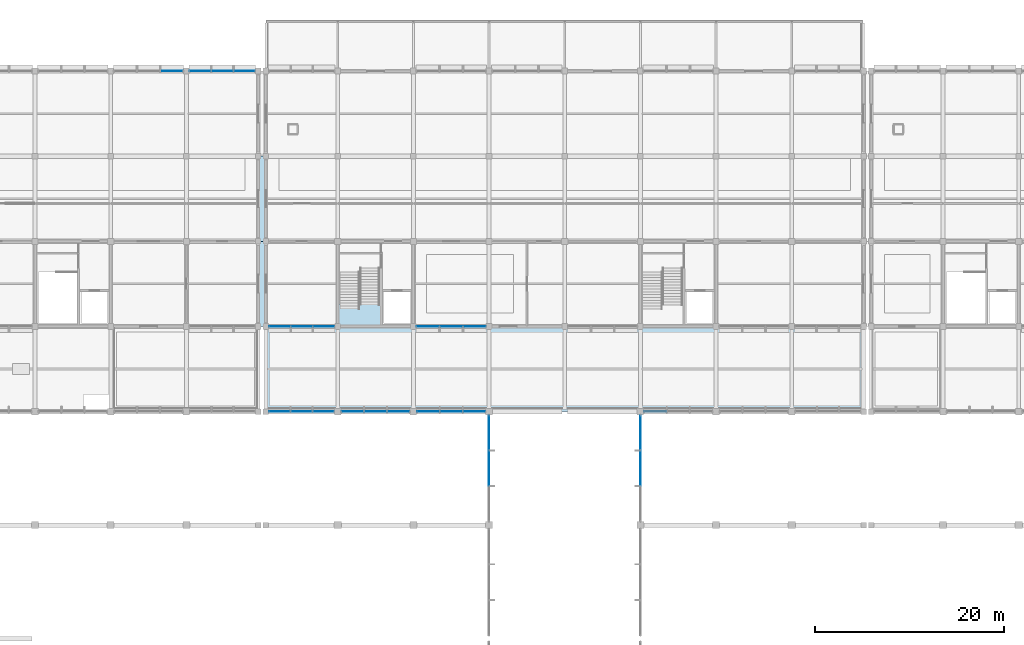
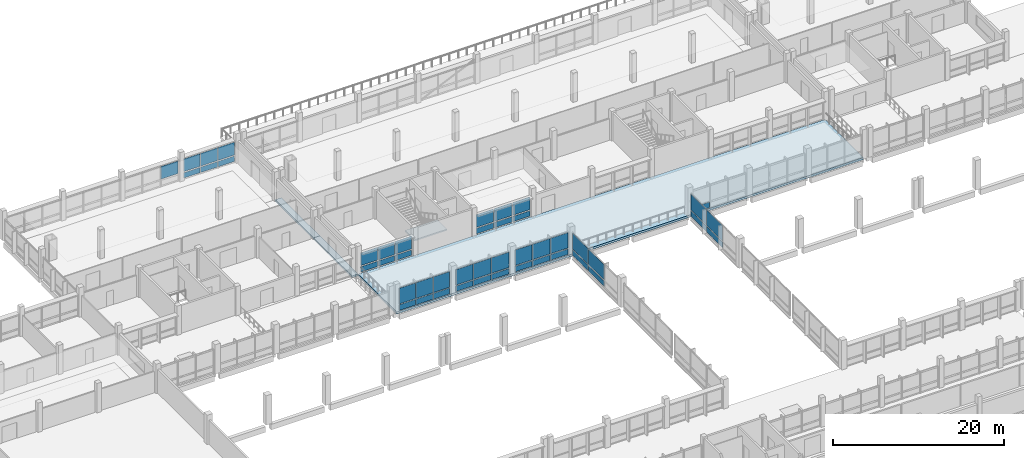
# One storey, part 49 of 70: 46 plates, 4 slabs, 11 elements without a shape of their own.
"""IFC4 building model written with IfcOpenShell, lengths in metres."""

from ifc_helpers import new_model, si_unit, direction, frame, origin, origin_2d, place, context, subcontext, project, spatial, polyline, rectangle, outline, extrude, material, layer, layer_set, type_object, element, aggregate, save


model = new_model("IFC4")

# Units and contexts
model_context = context("Model", 3, precision=1e-05, world=origin(), true_north=direction((0.0, 1.0)))
body_context = subcontext(model_context, "Body", "Model", "MODEL_VIEW")
ifc_project = project(units=[si_unit("LENGTHUNIT", "METRE"), si_unit("AREAUNIT", "SQUARE_METRE"), si_unit("VOLUMEUNIT", "CUBIC_METRE"), si_unit("PLANEANGLEUNIT", "RADIAN"), si_unit("MASSUNIT", "GRAM", prefix="KILO"), si_unit("THERMODYNAMICTEMPERATUREUNIT", "KELVIN"), si_unit("POWERUNIT", "WATT")], contexts=[model_context])

# Site, building, storey
site_placement = place(None, origin())
site = spatial("IfcSite", under=ifc_project, at=site_placement, CompositionType="ELEMENT")
building_placement = place(site_placement, origin())
building = spatial("IfcBuilding", under=site, at=building_placement, Name="Kronsvod Quay Wholesale Market", CompositionType="ELEMENT")
storey_placement = place(building_placement, frame((0.0, 0.0, 9.0)))
storey = spatial("IfcBuildingStorey", under=building, at=storey_placement, Name="L02", CompositionType="ELEMENT", Elevation=9.0)

# Curtain wall, plates
ifc_material_1 = material(Name="Thermally broken aluminium and triple low-E glazing", Category="aluminium")
curtain_wall_type_1 = type_object("IfcCurtainWallType", Name="CW_Clerestory80x32", PredefinedType="NOTDEFINED", material=ifc_material_1)
curtain_wall_1_placement = place(storey_placement, origin())
curtain_wall_1 = element("IfcCurtainWall", 1, at=curtain_wall_1_placement, inside=storey, type_object=curtain_wall_type_1, Name="CWGX-L02-644-900", PredefinedType="NOTDEFINED")
ifc_material_2 = material(Name="Insulated aluminium spandrel panel", Category="aluminium")
ifc_layer_1 = layer(ifc_material_2, 0.048095703125)
ifc_layer_set_1 = layer_set([ifc_layer_1], Name="Insulated aluminium spandrel panel")
plate_type_1 = type_object("IfcPlateType", Name="CWPanel_SP2223x820", PredefinedType="CURTAIN_PANEL", material=ifc_layer_set_1)
plate_1_placement = place(storey_placement, frame((70.478759765625, 90.0, 0.1201171875), z_axis=(0.0, 0.0, 1.0), x_axis=(-1.0, 0.0, 0.0)))
plate_1 = element("IfcPlate", 2, at=plate_1_placement, type_object=plate_type_1, Name="CWGX-L02-644-900-PS1", PredefinedType="CURTAIN_PANEL", context=body_context, shape_type="SweptSolid", body=[
    extrude(rectangle(XDim=2.222900390625, YDim=0.048095703125, at=origin_2d()), origin(), (0.0, 0.0, 1.0), 0.820068359375),
])
plate_2_placement = place(storey_placement, frame((65.871337890625, 90.0, 0.1201171875), z_axis=(0.0, 0.0, 1.0), x_axis=(-1.0, 0.0, 0.0)))
plate_2 = element("IfcPlate", 3, at=plate_2_placement, type_object=plate_type_1, Name="CWGX-L02-644-900-PS3", PredefinedType="CURTAIN_PANEL", context=body_context, shape_type="SweptSolid", body=[
    extrude(rectangle(XDim=2.222900390625, YDim=0.048095703125, at=origin_2d()), origin(), (0.0, 0.0, 1.0), 0.820068359375),
])

ifc_material_3 = material(Name="Thermally broken aluminium and triple low-E glazing", Category="aluminium")
curtain_wall_type_2 = type_object("IfcCurtainWallType", Name="CW_Harbour76x33", PredefinedType="NOTDEFINED", material=ifc_material_3)
curtain_wall_2_placement = place(storey_placement, origin())
curtain_wall_2 = element("IfcCurtainWall", 4, at=curtain_wall_2_placement, inside=storey, type_object=curtain_wall_type_2, Name="CWGX-L02-560-1260", PredefinedType="NOTDEFINED")
ifc_material_4 = material(Name="Insulated aluminium spandrel panel", Category="aluminium")
ifc_layer_2 = layer(ifc_material_4, 0.048095703125)
ifc_layer_set_2 = layer_set([ifc_layer_2], Name="Insulated aluminium spandrel panel")
plate_type_2 = type_object("IfcPlateType", Name="CWPanel_SP2224x775", PredefinedType="CURTAIN_PANEL", material=ifc_layer_set_2)
plate_3_placement = place(storey_placement, frame((62.117919921875, 126.0, 0.150146484375), z_axis=(0.0, 0.0, 1.0), x_axis=(-1.0, 0.0, 0.0)))
plate_3 = element("IfcPlate", 5, at=plate_3_placement, type_object=plate_type_2, Name="CWGX-L02-560-1260-PS1", PredefinedType="CURTAIN_PANEL", context=body_context, shape_type="SweptSolid", body=[
    extrude(rectangle(XDim=2.22412109375, YDim=0.048095703125, at=origin_2d()), origin(), (0.0, 0.0, 1.0), 0.77490234375),
])
plate_4_placement = place(storey_placement, frame((57.482177734375, 126.0, 0.150146484375), z_axis=(0.0, 0.0, 1.0), x_axis=(-1.0, 0.0, 0.0)))
plate_4 = element("IfcPlate", 6, at=plate_4_placement, type_object=plate_type_2, Name="CWGX-L02-560-1260-PS3", PredefinedType="CURTAIN_PANEL", context=body_context, shape_type="SweptSolid", body=[
    extrude(rectangle(XDim=2.22412109375, YDim=0.048095703125, at=origin_2d()), origin(), (0.0, 0.0, 1.0), 0.77490234375),
])

ifc_material_5 = material(Name="Thermally broken aluminium and triple low-E glazing", Category="aluminium")
curtain_wall_type_3 = type_object("IfcCurtainWallType", Name="CW_Harbour80x33", PredefinedType="NOTDEFINED", material=ifc_material_5)
curtain_wall_3_placement = place(storey_placement, origin())
curtain_wall_3 = element("IfcCurtainWall", 7, at=curtain_wall_3_placement, inside=storey, type_object=curtain_wall_type_3, Name="CWGX-L02-644-990", PredefinedType="NOTDEFINED")
plate_5_placement = place(storey_placement, frame((65.882080078125, 99.0, 0.150146484375), z_axis=(0.0, 0.0, 1.0), x_axis=(1.0, 0.0, 0.0)))
plate_5 = element("IfcPlate", 8, at=plate_5_placement, type_object=plate_type_2, Name="CWGX-L02-644-990-PS1", PredefinedType="CURTAIN_PANEL", context=body_context, shape_type="SweptSolid", body=[
    extrude(rectangle(XDim=2.22412109375, YDim=0.048095703125, at=origin_2d()), origin(), (0.0, 0.0, 1.0), 0.77490234375),
])
plate_6_placement = place(storey_placement, frame((70.517822265625, 99.0, 0.150146484375), z_axis=(0.0, 0.0, 1.0), x_axis=(1.0, 0.0, 0.0)))
plate_6 = element("IfcPlate", 9, at=plate_6_placement, type_object=plate_type_2, Name="CWGX-L02-644-990-PS3", PredefinedType="CURTAIN_PANEL", context=body_context, shape_type="SweptSolid", body=[
    extrude(rectangle(XDim=2.22412109375, YDim=0.048095703125, at=origin_2d()), origin(), (0.0, 0.0, 1.0), 0.77490234375),
])

# Plate
ifc_material_6 = material(Name="Insulated aluminium spandrel panel", Category="aluminium")
ifc_layer_3 = layer(ifc_material_6, 0.048095703125)
ifc_layer_set_3 = layer_set([ifc_layer_3], Name="Insulated aluminium spandrel panel")
plate_type_3 = type_object("IfcPlateType", Name="CWPanel_SP2255x820", PredefinedType="CURTAIN_PANEL", material=ifc_layer_set_3)
plate_7_placement = place(storey_placement, frame((68.175048828125, 90.0, 0.1201171875), z_axis=(0.0, 0.0, 1.0), x_axis=(-1.0, 0.0, 0.0)))
plate_7 = element("IfcPlate", 10, at=plate_7_placement, type_object=plate_type_3, Name="CWGX-L02-644-900-PS2", PredefinedType="CURTAIN_PANEL", context=body_context, shape_type="SweptSolid", body=[
    extrude(rectangle(XDim=2.2548828125, YDim=0.048095703125, at=origin_2d()), origin(), (0.0, 0.0, 1.0), 0.820068359375),
])

ifc_material_7 = material(Name="Insulated aluminium spandrel panel", Category="aluminium")
ifc_layer_4 = layer(ifc_material_7, 0.048095703125)
ifc_layer_set_4 = layer_set([ifc_layer_4], Name="Insulated aluminium spandrel panel")
plate_type_4 = type_object("IfcPlateType", Name="CWPanel_SP2262x775", PredefinedType="CURTAIN_PANEL", material=ifc_layer_set_4)
plate_8_placement = place(storey_placement, frame((59.800048828125, 126.0, 0.150146484375), z_axis=(0.0, 0.0, 1.0), x_axis=(-1.0, 0.0, 0.0)))
plate_8 = element("IfcPlate", 11, at=plate_8_placement, type_object=plate_type_4, Name="CWGX-L02-560-1260-PS2", PredefinedType="CURTAIN_PANEL", context=body_context, shape_type="SweptSolid", body=[
    extrude(rectangle(XDim=2.261962890625, YDim=0.048095703125, at=origin_2d()), origin(), (0.0, 0.0, 1.0), 0.77490234375),
])

plate_9_placement = place(storey_placement, frame((68.199951171875, 99.0, 0.150146484375), z_axis=(0.0, 0.0, 1.0), x_axis=(1.0, 0.0, 0.0)))
plate_9 = element("IfcPlate", 12, at=plate_9_placement, type_object=plate_type_4, Name="CWGX-L02-644-990-PS2", PredefinedType="CURTAIN_PANEL", context=body_context, shape_type="SweptSolid", body=[
    extrude(rectangle(XDim=2.261962890625, YDim=0.048095703125, at=origin_2d()), origin(), (0.0, 0.0, 1.0), 0.77490234375),
])

# Curtain wall, plates
curtain_wall_4_placement = place(storey_placement, origin())
curtain_wall_4 = element("IfcCurtainWall", 13, at=curtain_wall_4_placement, inside=storey, type_object=curtain_wall_type_1, Name="CWGX-L02-720-900", PredefinedType="NOTDEFINED")
ifc_material_8 = material(Name="Insulated aluminium spandrel panel", Category="aluminium")
ifc_layer_5 = layer(ifc_material_8, 0.048095703125)
ifc_layer_set_5 = layer_set([ifc_layer_5], Name="Insulated aluminium spandrel panel")
plate_type_5 = type_object("IfcPlateType", Name="CWPanel_SP2324x775", PredefinedType="CURTAIN_PANEL", material=ifc_layer_set_5)
plate_10_placement = place(storey_placement, frame((78.41796875, 90.0, 0.150146484375), z_axis=(0.0, 0.0, 1.0), x_axis=(-1.0, 0.0, 0.0)))
plate_10 = element("IfcPlate", 14, at=plate_10_placement, type_object=plate_type_5, Name="CWGX-L02-720-900-PS1", PredefinedType="CURTAIN_PANEL", context=body_context, shape_type="SweptSolid", body=[
    extrude(rectangle(XDim=2.323974609375, YDim=0.048095703125, at=origin_2d()), origin(), (0.0, 0.0, 1.0), 0.77490234375),
])
plate_11_placement = place(storey_placement, frame((73.58203125, 90.0, 0.150146484375), z_axis=(0.0, 0.0, 1.0), x_axis=(-1.0, 0.0, 0.0)))
plate_11 = element("IfcPlate", 15, at=plate_11_placement, type_object=plate_type_5, Name="CWGX-L02-720-900-PS3", PredefinedType="CURTAIN_PANEL", context=body_context, shape_type="SweptSolid", body=[
    extrude(rectangle(XDim=2.323974609375, YDim=0.048095703125, at=origin_2d()), origin(), (0.0, 0.0, 1.0), 0.77490234375),
])

curtain_wall_5_placement = place(storey_placement, origin())
curtain_wall_5 = element("IfcCurtainWall", 16, at=curtain_wall_5_placement, inside=storey, type_object=curtain_wall_type_1, Name="CWGX-L02-800-900", PredefinedType="NOTDEFINED")
plate_12_placement = place(storey_placement, frame((86.41796875, 90.0, 0.150146484375), z_axis=(0.0, 0.0, 1.0), x_axis=(-1.0, 0.0, 0.0)))
plate_12 = element("IfcPlate", 17, at=plate_12_placement, type_object=plate_type_5, Name="CWGX-L02-800-900-PS1", PredefinedType="CURTAIN_PANEL", context=body_context, shape_type="SweptSolid", body=[
    extrude(rectangle(XDim=2.323974609375, YDim=0.048095703125, at=origin_2d()), origin(), (0.0, 0.0, 1.0), 0.77490234375),
])
plate_13_placement = place(storey_placement, frame((81.58203125, 90.0, 0.150146484375), z_axis=(0.0, 0.0, 1.0), x_axis=(-1.0, 0.0, 0.0)))
plate_13 = element("IfcPlate", 18, at=plate_13_placement, type_object=plate_type_5, Name="CWGX-L02-800-900-PS3", PredefinedType="CURTAIN_PANEL", context=body_context, shape_type="SweptSolid", body=[
    extrude(rectangle(XDim=2.323974609375, YDim=0.048095703125, at=origin_2d()), origin(), (0.0, 0.0, 1.0), 0.77490234375),
])

# Curtain wall, plate
curtain_wall_6_placement = place(storey_placement, origin())
curtain_wall_6 = element("IfcCurtainWall", 19, at=curtain_wall_6_placement, inside=storey, type_object=curtain_wall_type_1, Name="CWGX-L02-1040-900", PredefinedType="NOTDEFINED")
plate_14_placement = place(storey_placement, frame((105.58203125, 90.0, 0.150146484375), z_axis=(0.0, 0.0, 1.0), x_axis=(-1.0, 0.0, 0.0)))
plate_14 = element("IfcPlate", 20, at=plate_14_placement, type_object=plate_type_5, Name="CWGX-L02-1040-900-PS3", PredefinedType="CURTAIN_PANEL", context=body_context, shape_type="SweptSolid", body=[
    extrude(rectangle(XDim=2.323974609375, YDim=0.048095703125, at=origin_2d()), origin(), (0.0, 0.0, 1.0), 0.77490234375),
])
aggregate(curtain_wall_6, [plate_14])

# Curtain wall, plates
curtain_wall_7_placement = place(storey_placement, origin())
curtain_wall_7 = element("IfcCurtainWall", 21, at=curtain_wall_7_placement, inside=storey, type_object=curtain_wall_type_3, Name="CWGX-L02-800-990", PredefinedType="NOTDEFINED")
ifc_material_9 = material(Name="Insulated aluminium spandrel panel", Category="aluminium")
ifc_layer_6 = layer(ifc_material_9, 0.048095703125)
ifc_layer_set_6 = layer_set([ifc_layer_6], Name="Insulated aluminium spandrel panel")
plate_type_6 = type_object("IfcPlateType", Name="CWPanel_SP2357x775", PredefinedType="CURTAIN_PANEL", material=ifc_layer_set_6)
plate_15_placement = place(storey_placement, frame((81.548828125, 99.0, 0.150146484375), z_axis=(0.0, 0.0, 1.0), x_axis=(1.0, 0.0, 0.0)))
plate_15 = element("IfcPlate", 22, at=plate_15_placement, type_object=plate_type_6, Name="CWGX-L02-800-990-PS1", PredefinedType="CURTAIN_PANEL", context=body_context, shape_type="SweptSolid", body=[
    extrude(rectangle(XDim=2.35693359375, YDim=0.048095703125, at=origin_2d()), origin(), (0.0, 0.0, 1.0), 0.77490234375),
])
ifc_material_10 = material(Name="Insulated aluminium spandrel panel", Category="aluminium")
ifc_layer_7 = layer(ifc_material_10, 0.048095703125)
ifc_layer_set_7 = layer_set([ifc_layer_7], Name="Insulated aluminium spandrel panel")
plate_type_7 = type_object("IfcPlateType", Name="CWPanel_SP2358x775", PredefinedType="CURTAIN_PANEL", material=ifc_layer_set_7)
plate_16_placement = place(storey_placement, frame((86.451171875, 99.0, 0.150146484375), z_axis=(0.0, 0.0, 1.0), x_axis=(1.0, 0.0, 0.0)))
plate_16 = element("IfcPlate", 23, at=plate_16_placement, type_object=plate_type_7, Name="CWGX-L02-800-990-PS3", PredefinedType="CURTAIN_PANEL", context=body_context, shape_type="SweptSolid", body=[
    extrude(rectangle(XDim=2.35791015625, YDim=0.048095703125, at=origin_2d()), origin(), (0.0, 0.0, 1.0), 0.77490234375),
])

# Plate
ifc_material_11 = material(Name="Insulated aluminium spandrel panel", Category="aluminium")
ifc_layer_8 = layer(ifc_material_11, 0.048095703125)
ifc_layer_set_8 = layer_set([ifc_layer_8], Name="Insulated aluminium spandrel panel")
plate_type_8 = type_object("IfcPlateType", Name="CWPanel_SP2362x775", PredefinedType="CURTAIN_PANEL", material=ifc_layer_set_8)
plate_17_placement = place(storey_placement, frame((76.0, 90.0, 0.150146484375), z_axis=(0.0, 0.0, 1.0), x_axis=(-1.0, 0.0, 0.0)))
plate_17 = element("IfcPlate", 24, at=plate_17_placement, type_object=plate_type_8, Name="CWGX-L02-720-900-PS2", PredefinedType="CURTAIN_PANEL", context=body_context, shape_type="SweptSolid", body=[
    extrude(rectangle(XDim=2.362060546875, YDim=0.048095703125, at=origin_2d()), origin(), (0.0, 0.0, 1.0), 0.77490234375),
])

plate_18_placement = place(storey_placement, frame((84.0, 90.0, 0.150146484375), z_axis=(0.0, 0.0, 1.0), x_axis=(-1.0, 0.0, 0.0)))
plate_18 = element("IfcPlate", 25, at=plate_18_placement, type_object=plate_type_8, Name="CWGX-L02-800-900-PS2", PredefinedType="CURTAIN_PANEL", context=body_context, shape_type="SweptSolid", body=[
    extrude(rectangle(XDim=2.362060546875, YDim=0.048095703125, at=origin_2d()), origin(), (0.0, 0.0, 1.0), 0.77490234375),
])

ifc_material_12 = material(Name="Insulated aluminium spandrel panel", Category="aluminium")
ifc_layer_9 = layer(ifc_material_12, 0.048095703125)
ifc_layer_set_9 = layer_set([ifc_layer_9], Name="Insulated aluminium spandrel panel")
plate_type_9 = type_object("IfcPlateType", Name="CWPanel_SP2395x775", PredefinedType="CURTAIN_PANEL", material=ifc_layer_set_9)
plate_19_placement = place(storey_placement, frame((84.0, 99.0, 0.150146484375), z_axis=(0.0, 0.0, 1.0), x_axis=(1.0, 0.0, 0.0)))
plate_19 = element("IfcPlate", 26, at=plate_19_placement, type_object=plate_type_9, Name="CWGX-L02-800-990-PS2", PredefinedType="CURTAIN_PANEL", context=body_context, shape_type="SweptSolid", body=[
    extrude(rectangle(XDim=2.39501953125, YDim=0.048095703125, at=origin_2d()), origin(), (0.0, 0.0, 1.0), 0.77490234375),
])

# Curtain wall, plate
ifc_material_13 = material(Name="Thermally broken aluminium and triple low-E glazing", Category="aluminium")
curtain_wall_type_4 = type_object("IfcCurtainWallType", Name="CW_Court120x35", PredefinedType="NOTDEFINED", material=ifc_material_13)
curtain_wall_8_placement = place(storey_placement, origin())
curtain_wall_8 = element("IfcCurtainWall", 27, at=curtain_wall_8_placement, inside=storey, type_object=curtain_wall_type_4, Name="CWGY-L02-880-780", PredefinedType="NOTDEFINED")
ifc_material_14 = material(Name="Insulated aluminium spandrel panel", Category="aluminium")
ifc_layer_10 = layer(ifc_material_14, 0.048095703125)
ifc_layer_set_10 = layer_set([ifc_layer_10], Name="Insulated aluminium spandrel panel")
plate_type_10 = type_object("IfcPlateType", Name="CWPanel_SP3649x775", PredefinedType="CURTAIN_PANEL", material=ifc_layer_set_10)
plate_20_placement = place(storey_placement, frame((88.0, 87.75537109375, 0.150146484375), z_axis=(0.0, 0.0, 1.0), x_axis=(0.0, 1.0, 0.0)))
plate_20 = element("IfcPlate", 28, at=plate_20_placement, type_object=plate_type_10, Name="CWGY-L02-880-780-PS3", PredefinedType="CURTAIN_PANEL", context=body_context, shape_type="SweptSolid", body=[
    extrude(rectangle(XDim=3.64892578125, YDim=0.048095703125, at=origin_2d()), origin(), (0.0, 0.0, 1.0), 0.77490234375),
])

curtain_wall_9_placement = place(storey_placement, origin())
curtain_wall_9 = element("IfcCurtainWall", 29, at=curtain_wall_9_placement, inside=storey, type_object=curtain_wall_type_4, Name="CWGY-L02-1040-780", PredefinedType="NOTDEFINED")
plate_21_placement = place(storey_placement, frame((104.0, 87.75537109375, 0.150146484375), z_axis=(0.0, 0.0, 1.0), x_axis=(0.0, -1.0, 0.0)))
plate_21 = element("IfcPlate", 30, at=plate_21_placement, type_object=plate_type_10, Name="CWGY-L02-1040-780-PS1", PredefinedType="CURTAIN_PANEL", context=body_context, shape_type="SweptSolid", body=[
    extrude(rectangle(XDim=3.64892578125, YDim=0.048095703125, at=origin_2d()), origin(), (0.0, 0.0, 1.0), 0.77490234375),
])

# Plate
ifc_material_15 = material(Name="Insulated aluminium spandrel panel", Category="aluminium")
ifc_layer_11 = layer(ifc_material_15, 0.048095703125)
ifc_layer_set_11 = layer_set([ifc_layer_11], Name="Insulated aluminium spandrel panel")
plate_type_11 = type_object("IfcPlateType", Name="CWPanel_SP3687x775", PredefinedType="CURTAIN_PANEL", material=ifc_layer_set_11)
plate_22_placement = place(storey_placement, frame((88.0, 84.012451171875, 0.150146484375), z_axis=(0.0, 0.0, 1.0), x_axis=(0.0, 1.0, 0.0)))
plate_22 = element("IfcPlate", 31, at=plate_22_placement, type_object=plate_type_11, Name="CWGY-L02-880-780-PS2", PredefinedType="CURTAIN_PANEL", context=body_context, shape_type="SweptSolid", body=[
    extrude(rectangle(XDim=3.68701171875, YDim=0.048095703125, at=origin_2d()), origin(), (0.0, 0.0, 1.0), 0.77490234375),
])

plate_23_placement = place(storey_placement, frame((104.0, 84.012451171875, 0.150146484375), z_axis=(0.0, 0.0, 1.0), x_axis=(0.0, -1.0, 0.0)))
plate_23 = element("IfcPlate", 32, at=plate_23_placement, type_object=plate_type_11, Name="CWGY-L02-1040-780-PS2", PredefinedType="CURTAIN_PANEL", context=body_context, shape_type="SweptSolid", body=[
    extrude(rectangle(XDim=3.68701171875, YDim=0.048095703125, at=origin_2d()), origin(), (0.0, 0.0, 1.0), 0.77490234375),
])

ifc_material_16 = material(Name="Triple low-E insulated glazing", Category="glass")
ifc_layer_12 = layer(ifc_material_16, 0.0439453125)
ifc_layer_set_12 = layer_set([ifc_layer_12], Name="Triple low-E insulated glazing")
plate_type_12 = type_object("IfcPlateType", Name="CWPanel_VS2223x2240", PredefinedType="CURTAIN_PANEL", material=ifc_layer_set_12)
plate_24_placement = place(storey_placement, frame((70.478759765625, 90.0, 1.06005859375), z_axis=(0.0, 0.0, 1.0), x_axis=(-1.0, 0.0, 0.0)))
plate_24 = element("IfcPlate", 33, at=plate_24_placement, type_object=plate_type_12, Name="CWGX-L02-644-900-PV1", PredefinedType="CURTAIN_PANEL", context=body_context, shape_type="SweptSolid", body=[
    extrude(rectangle(XDim=2.222900390625, YDim=0.0439453125, at=origin_2d()), origin(), (0.0, 0.0, 1.0), 2.239990234375),
])

plate_25_placement = place(storey_placement, frame((65.871337890625, 90.0, 1.06005859375), z_axis=(0.0, 0.0, 1.0), x_axis=(-1.0, 0.0, 0.0)))
plate_25 = element("IfcPlate", 34, at=plate_25_placement, type_object=plate_type_12, Name="CWGX-L02-644-900-PV3", PredefinedType="CURTAIN_PANEL", context=body_context, shape_type="SweptSolid", body=[
    extrude(rectangle(XDim=2.222900390625, YDim=0.0439453125, at=origin_2d()), origin(), (0.0, 0.0, 1.0), 2.239990234375),
])

ifc_material_17 = material(Name="Triple low-E insulated glazing", Category="glass")
ifc_layer_13 = layer(ifc_material_17, 0.0439453125)
ifc_layer_set_13 = layer_set([ifc_layer_13], Name="Triple low-E insulated glazing")
plate_type_13 = type_object("IfcPlateType", Name="CWPanel_VS2224x1825", PredefinedType="CURTAIN_PANEL", material=ifc_layer_set_13)
plate_26_placement = place(storey_placement, frame((62.117919921875, 126.0, 1.0751953125), z_axis=(0.0, 0.0, 1.0), x_axis=(-1.0, 0.0, 0.0)))
plate_26 = element("IfcPlate", 35, at=plate_26_placement, type_object=plate_type_13, Name="CWGX-L02-560-1260-PV1", PredefinedType="CURTAIN_PANEL", context=body_context, shape_type="SweptSolid", body=[
    extrude(rectangle(XDim=2.22412109375, YDim=0.0439453125, at=origin_2d()), origin(), (0.0, 0.0, 1.0), 1.824951171875),
])

plate_27_placement = place(storey_placement, frame((57.482177734375, 126.0, 1.0751953125), z_axis=(0.0, 0.0, 1.0), x_axis=(-1.0, 0.0, 0.0)))
plate_27 = element("IfcPlate", 36, at=plate_27_placement, type_object=plate_type_13, Name="CWGX-L02-560-1260-PV3", PredefinedType="CURTAIN_PANEL", context=body_context, shape_type="SweptSolid", body=[
    extrude(rectangle(XDim=2.22412109375, YDim=0.0439453125, at=origin_2d()), origin(), (0.0, 0.0, 1.0), 1.824951171875),
])

plate_28_placement = place(storey_placement, frame((65.882080078125, 99.0, 1.0751953125), z_axis=(0.0, 0.0, 1.0), x_axis=(1.0, 0.0, 0.0)))
plate_28 = element("IfcPlate", 37, at=plate_28_placement, type_object=plate_type_13, Name="CWGX-L02-644-990-PV1", PredefinedType="CURTAIN_PANEL", context=body_context, shape_type="SweptSolid", body=[
    extrude(rectangle(XDim=2.22412109375, YDim=0.0439453125, at=origin_2d()), origin(), (0.0, 0.0, 1.0), 1.824951171875),
])

plate_29_placement = place(storey_placement, frame((70.517822265625, 99.0, 1.0751953125), z_axis=(0.0, 0.0, 1.0), x_axis=(1.0, 0.0, 0.0)))
plate_29 = element("IfcPlate", 38, at=plate_29_placement, type_object=plate_type_13, Name="CWGX-L02-644-990-PV3", PredefinedType="CURTAIN_PANEL", context=body_context, shape_type="SweptSolid", body=[
    extrude(rectangle(XDim=2.22412109375, YDim=0.0439453125, at=origin_2d()), origin(), (0.0, 0.0, 1.0), 1.824951171875),
])

ifc_material_18 = material(Name="Triple low-E insulated glazing", Category="glass")
ifc_layer_14 = layer(ifc_material_18, 0.0439453125)
ifc_layer_set_14 = layer_set([ifc_layer_14], Name="Triple low-E insulated glazing")
plate_type_14 = type_object("IfcPlateType", Name="CWPanel_VS2255x2240", PredefinedType="CURTAIN_PANEL", material=ifc_layer_set_14)
plate_30_placement = place(storey_placement, frame((68.175048828125, 90.0, 1.06005859375), z_axis=(0.0, 0.0, 1.0), x_axis=(-1.0, 0.0, 0.0)))
plate_30 = element("IfcPlate", 39, at=plate_30_placement, type_object=plate_type_14, Name="CWGX-L02-644-900-PV2", PredefinedType="CURTAIN_PANEL", context=body_context, shape_type="SweptSolid", body=[
    extrude(rectangle(XDim=2.2548828125, YDim=0.0439453125, at=origin_2d()), origin(), (0.0, 0.0, 1.0), 2.239990234375),
])

aggregate(curtain_wall_1, [plate_1, plate_24, plate_7, plate_30, plate_2, plate_25])

ifc_material_19 = material(Name="Triple low-E insulated glazing", Category="glass")
ifc_layer_15 = layer(ifc_material_19, 0.0439453125)
ifc_layer_set_15 = layer_set([ifc_layer_15], Name="Triple low-E insulated glazing")
plate_type_15 = type_object("IfcPlateType", Name="CWPanel_VS2262x1825", PredefinedType="CURTAIN_PANEL", material=ifc_layer_set_15)
plate_31_placement = place(storey_placement, frame((59.800048828125, 126.0, 1.0751953125), z_axis=(0.0, 0.0, 1.0), x_axis=(-1.0, 0.0, 0.0)))
plate_31 = element("IfcPlate", 40, at=plate_31_placement, type_object=plate_type_15, Name="CWGX-L02-560-1260-PV2", PredefinedType="CURTAIN_PANEL", context=body_context, shape_type="SweptSolid", body=[
    extrude(rectangle(XDim=2.261962890625, YDim=0.0439453125, at=origin_2d()), origin(), (0.0, 0.0, 1.0), 1.824951171875),
])

aggregate(curtain_wall_2, [plate_3, plate_26, plate_8, plate_31, plate_4, plate_27])

plate_32_placement = place(storey_placement, frame((68.199951171875, 99.0, 1.0751953125), z_axis=(0.0, 0.0, 1.0), x_axis=(1.0, 0.0, 0.0)))
plate_32 = element("IfcPlate", 41, at=plate_32_placement, type_object=plate_type_15, Name="CWGX-L02-644-990-PV2", PredefinedType="CURTAIN_PANEL", context=body_context, shape_type="SweptSolid", body=[
    extrude(rectangle(XDim=2.261962890625, YDim=0.0439453125, at=origin_2d()), origin(), (0.0, 0.0, 1.0), 1.824951171875),
])

aggregate(curtain_wall_3, [plate_5, plate_28, plate_9, plate_32, plate_6, plate_29])

ifc_material_20 = material(Name="Triple low-E insulated glazing", Category="glass")
ifc_layer_16 = layer(ifc_material_20, 0.0439453125)
ifc_layer_set_16 = layer_set([ifc_layer_16], Name="Triple low-E insulated glazing")
plate_type_16 = type_object("IfcPlateType", Name="CWPanel_VS2324x2195", PredefinedType="CURTAIN_PANEL", material=ifc_layer_set_16)
plate_33_placement = place(storey_placement, frame((78.41796875, 90.0, 1.0751953125), z_axis=(0.0, 0.0, 1.0), x_axis=(-1.0, 0.0, 0.0)))
plate_33 = element("IfcPlate", 42, at=plate_33_placement, type_object=plate_type_16, Name="CWGX-L02-720-900-PV1", PredefinedType="CURTAIN_PANEL", context=body_context, shape_type="SweptSolid", body=[
    extrude(rectangle(XDim=2.323974609375, YDim=0.0439453125, at=origin_2d()), origin(), (0.0, 0.0, 1.0), 2.195068359375),
])

plate_34_placement = place(storey_placement, frame((73.58203125, 90.0, 1.0751953125), z_axis=(0.0, 0.0, 1.0), x_axis=(-1.0, 0.0, 0.0)))
plate_34 = element("IfcPlate", 43, at=plate_34_placement, type_object=plate_type_16, Name="CWGX-L02-720-900-PV3", PredefinedType="CURTAIN_PANEL", context=body_context, shape_type="SweptSolid", body=[
    extrude(rectangle(XDim=2.323974609375, YDim=0.0439453125, at=origin_2d()), origin(), (0.0, 0.0, 1.0), 2.195068359375),
])

plate_35_placement = place(storey_placement, frame((86.41796875, 90.0, 1.0751953125), z_axis=(0.0, 0.0, 1.0), x_axis=(-1.0, 0.0, 0.0)))
plate_35 = element("IfcPlate", 44, at=plate_35_placement, type_object=plate_type_16, Name="CWGX-L02-800-900-PV1", PredefinedType="CURTAIN_PANEL", context=body_context, shape_type="SweptSolid", body=[
    extrude(rectangle(XDim=2.323974609375, YDim=0.0439453125, at=origin_2d()), origin(), (0.0, 0.0, 1.0), 2.195068359375),
])

plate_36_placement = place(storey_placement, frame((81.58203125, 90.0, 1.0751953125), z_axis=(0.0, 0.0, 1.0), x_axis=(-1.0, 0.0, 0.0)))
plate_36 = element("IfcPlate", 45, at=plate_36_placement, type_object=plate_type_16, Name="CWGX-L02-800-900-PV3", PredefinedType="CURTAIN_PANEL", context=body_context, shape_type="SweptSolid", body=[
    extrude(rectangle(XDim=2.323974609375, YDim=0.0439453125, at=origin_2d()), origin(), (0.0, 0.0, 1.0), 2.195068359375),
])

# Curtain wall, plate
curtain_wall_10_placement = place(storey_placement, origin())
curtain_wall_10 = element("IfcCurtainWall", 46, at=curtain_wall_10_placement, inside=storey, type_object=curtain_wall_type_3, Name="CWGX-L02-480-1260", PredefinedType="NOTDEFINED")
ifc_material_21 = material(Name="Triple low-E insulated glazing", Category="glass")
ifc_layer_17 = layer(ifc_material_21, 0.0439453125)
ifc_layer_set_17 = layer_set([ifc_layer_17], Name="Triple low-E insulated glazing")
plate_type_17 = type_object("IfcPlateType", Name="CWPanel_VS2357x1825", PredefinedType="CURTAIN_PANEL", material=ifc_layer_set_17)
plate_37_placement = place(storey_placement, frame((54.451171875, 126.0, 1.0751953125), z_axis=(0.0, 0.0, 1.0), x_axis=(-1.0, 0.0, 0.0)))
plate_37 = element("IfcPlate", 47, at=plate_37_placement, type_object=plate_type_17, Name="CWGX-L02-480-1260-PV1", PredefinedType="CURTAIN_PANEL", context=body_context, shape_type="SweptSolid", body=[
    extrude(rectangle(XDim=2.35693359375, YDim=0.0439453125, at=origin_2d()), origin(), (0.0, 0.0, 1.0), 1.824951171875),
])
aggregate(curtain_wall_10, [plate_37])

# Plate
plate_38_placement = place(storey_placement, frame((81.548828125, 99.0, 1.0751953125), z_axis=(0.0, 0.0, 1.0), x_axis=(1.0, 0.0, 0.0)))
plate_38 = element("IfcPlate", 48, at=plate_38_placement, type_object=plate_type_17, Name="CWGX-L02-800-990-PV1", PredefinedType="CURTAIN_PANEL", context=body_context, shape_type="SweptSolid", body=[
    extrude(rectangle(XDim=2.35693359375, YDim=0.0439453125, at=origin_2d()), origin(), (0.0, 0.0, 1.0), 1.824951171875),
])

ifc_material_22 = material(Name="Triple low-E insulated glazing", Category="glass")
ifc_layer_18 = layer(ifc_material_22, 0.0439453125)
ifc_layer_set_18 = layer_set([ifc_layer_18], Name="Triple low-E insulated glazing")
plate_type_18 = type_object("IfcPlateType", Name="CWPanel_VS2358x1825", PredefinedType="CURTAIN_PANEL", material=ifc_layer_set_18)
plate_39_placement = place(storey_placement, frame((86.451171875, 99.0, 1.0751953125), z_axis=(0.0, 0.0, 1.0), x_axis=(1.0, 0.0, 0.0)))
plate_39 = element("IfcPlate", 49, at=plate_39_placement, type_object=plate_type_18, Name="CWGX-L02-800-990-PV3", PredefinedType="CURTAIN_PANEL", context=body_context, shape_type="SweptSolid", body=[
    extrude(rectangle(XDim=2.35791015625, YDim=0.0439453125, at=origin_2d()), origin(), (0.0, 0.0, 1.0), 1.824951171875),
])

ifc_material_23 = material(Name="Triple low-E insulated glazing", Category="glass")
ifc_layer_19 = layer(ifc_material_23, 0.0439453125)
ifc_layer_set_19 = layer_set([ifc_layer_19], Name="Triple low-E insulated glazing")
plate_type_19 = type_object("IfcPlateType", Name="CWPanel_VS2362x2195", PredefinedType="CURTAIN_PANEL", material=ifc_layer_set_19)
plate_40_placement = place(storey_placement, frame((76.0, 90.0, 1.0751953125), z_axis=(0.0, 0.0, 1.0), x_axis=(-1.0, 0.0, 0.0)))
plate_40 = element("IfcPlate", 50, at=plate_40_placement, type_object=plate_type_19, Name="CWGX-L02-720-900-PV2", PredefinedType="CURTAIN_PANEL", context=body_context, shape_type="SweptSolid", body=[
    extrude(rectangle(XDim=2.362060546875, YDim=0.0439453125, at=origin_2d()), origin(), (0.0, 0.0, 1.0), 2.195068359375),
])

aggregate(curtain_wall_4, [plate_10, plate_33, plate_17, plate_40, plate_11, plate_34])

plate_41_placement = place(storey_placement, frame((84.0, 90.0, 1.0751953125), z_axis=(0.0, 0.0, 1.0), x_axis=(-1.0, 0.0, 0.0)))
plate_41 = element("IfcPlate", 51, at=plate_41_placement, type_object=plate_type_19, Name="CWGX-L02-800-900-PV2", PredefinedType="CURTAIN_PANEL", context=body_context, shape_type="SweptSolid", body=[
    extrude(rectangle(XDim=2.362060546875, YDim=0.0439453125, at=origin_2d()), origin(), (0.0, 0.0, 1.0), 2.195068359375),
])

aggregate(curtain_wall_5, [plate_12, plate_35, plate_18, plate_41, plate_13, plate_36])

ifc_material_24 = material(Name="Triple low-E insulated glazing", Category="glass")
ifc_layer_20 = layer(ifc_material_24, 0.0439453125)
ifc_layer_set_20 = layer_set([ifc_layer_20], Name="Triple low-E insulated glazing")
plate_type_20 = type_object("IfcPlateType", Name="CWPanel_VS2395x1825", PredefinedType="CURTAIN_PANEL", material=ifc_layer_set_20)
plate_42_placement = place(storey_placement, frame((84.0, 99.0, 1.0751953125), z_axis=(0.0, 0.0, 1.0), x_axis=(1.0, 0.0, 0.0)))
plate_42 = element("IfcPlate", 52, at=plate_42_placement, type_object=plate_type_20, Name="CWGX-L02-800-990-PV2", PredefinedType="CURTAIN_PANEL", context=body_context, shape_type="SweptSolid", body=[
    extrude(rectangle(XDim=2.39501953125, YDim=0.0439453125, at=origin_2d()), origin(), (0.0, 0.0, 1.0), 1.824951171875),
])

aggregate(curtain_wall_7, [plate_15, plate_38, plate_19, plate_42, plate_16, plate_39])

ifc_material_25 = material(Name="Triple low-E insulated glazing", Category="glass")
ifc_layer_21 = layer(ifc_material_25, 0.0439453125)
ifc_layer_set_21 = layer_set([ifc_layer_21], Name="Triple low-E insulated glazing")
plate_type_21 = type_object("IfcPlateType", Name="CWPanel_VS3649x2195", PredefinedType="CURTAIN_PANEL", material=ifc_layer_set_21)
plate_43_placement = place(storey_placement, frame((88.0, 87.75537109375, 1.0751953125), z_axis=(0.0, 0.0, 1.0), x_axis=(0.0, 1.0, 0.0)))
plate_43 = element("IfcPlate", 53, at=plate_43_placement, type_object=plate_type_21, Name="CWGY-L02-880-780-PV3", PredefinedType="CURTAIN_PANEL", context=body_context, shape_type="SweptSolid", body=[
    extrude(rectangle(XDim=3.64892578125, YDim=0.0439453125, at=origin_2d()), origin(), (0.0, 0.0, 1.0), 2.195068359375),
])

plate_44_placement = place(storey_placement, frame((104.0, 87.75537109375, 1.0751953125), z_axis=(0.0, 0.0, 1.0), x_axis=(0.0, -1.0, 0.0)))
plate_44 = element("IfcPlate", 54, at=plate_44_placement, type_object=plate_type_21, Name="CWGY-L02-1040-780-PV1", PredefinedType="CURTAIN_PANEL", context=body_context, shape_type="SweptSolid", body=[
    extrude(rectangle(XDim=3.64892578125, YDim=0.0439453125, at=origin_2d()), origin(), (0.0, 0.0, 1.0), 2.195068359375),
])

ifc_material_26 = material(Name="Triple low-E insulated glazing", Category="glass")
ifc_layer_22 = layer(ifc_material_26, 0.0439453125)
ifc_layer_set_22 = layer_set([ifc_layer_22], Name="Triple low-E insulated glazing")
plate_type_22 = type_object("IfcPlateType", Name="CWPanel_VS3687x2195", PredefinedType="CURTAIN_PANEL", material=ifc_layer_set_22)
plate_45_placement = place(storey_placement, frame((88.0, 84.012451171875, 1.0751953125), z_axis=(0.0, 0.0, 1.0), x_axis=(0.0, 1.0, 0.0)))
plate_45 = element("IfcPlate", 55, at=plate_45_placement, type_object=plate_type_22, Name="CWGY-L02-880-780-PV2", PredefinedType="CURTAIN_PANEL", context=body_context, shape_type="SweptSolid", body=[
    extrude(rectangle(XDim=3.68701171875, YDim=0.0439453125, at=origin_2d()), origin(), (0.0, 0.0, 1.0), 2.195068359375),
])

aggregate(curtain_wall_8, [plate_22, plate_45, plate_20, plate_43])

plate_46_placement = place(storey_placement, frame((104.0, 84.012451171875, 1.0751953125), z_axis=(0.0, 0.0, 1.0), x_axis=(0.0, -1.0, 0.0)))
plate_46 = element("IfcPlate", 56, at=plate_46_placement, type_object=plate_type_22, Name="CWGY-L02-1040-780-PV2", PredefinedType="CURTAIN_PANEL", context=body_context, shape_type="SweptSolid", body=[
    extrude(rectangle(XDim=3.68701171875, YDim=0.0439453125, at=origin_2d()), origin(), (0.0, 0.0, 1.0), 2.195068359375),
])

aggregate(curtain_wall_9, [plate_21, plate_44, plate_23, plate_46])

# Slabs
ifc_material_27 = material(Name="Concrete C35/45", Category="concrete")
ifc_layer_23 = layer(ifc_material_27, 0.31005859375)
ifc_layer_set_23 = layer_set([ifc_layer_23], Name="Concrete C35/45")
slab_type_1 = type_object("IfcSlabType", Name="Slab_GardenDeck310", PredefinedType="FLOOR", material=ifc_layer_set_23)
slab_1_placement = place(storey_placement, frame((0.0, 0.0, -0.31005859375)))
element("IfcSlab", 57, at=slab_1_placement, inside=storey, type_object=slab_type_1, Name="SLB-L02-118", PredefinedType="FLOOR", context=body_context, shape_type="SweptSolid", body=[
    extrude(outline(polyline([(64.419921875, 90.0), (127.580078125, 90.0), (127.580078125, 99.0), (64.419921875, 99.0), (64.419921875, 90.0)])), origin(), (0.0, 0.0, 1.0), 0.31005859375),
])
ifc_material_28 = material(Name="Concrete C35/45", Category="concrete")
ifc_layer_24 = layer(ifc_material_28, 0.2451171875)
ifc_layer_set_24 = layer_set([ifc_layer_24], Name="Concrete C35/45")
slab_type_2 = type_object("IfcSlabType", Name="Slab_JointBridge245", PredefinedType="FLOOR", material=ifc_layer_set_24)
slab_2_placement = place(storey_placement, frame((0.0, 0.0, -0.2451171875)))
element("IfcSlab", 58, at=slab_2_placement, inside=storey, type_object=slab_type_2, Name="SLB-MJ-L02-J1-99", PredefinedType="FLOOR", context=body_context, shape_type="SweptSolid", body=[
    extrude(outline(polyline([(63.580078125, 99.0), (64.419921875, 99.0), (64.419921875, 108.0), (63.580078125, 108.0), (63.580078125, 99.0)])), origin(), (0.0, 0.0, 1.0), 0.2451171875),
])
slab_3_placement = place(storey_placement, frame((0.0, 0.0, -0.2451171875)))
element("IfcSlab", 59, at=slab_3_placement, inside=storey, type_object=slab_type_2, Name="SLB-MJ-L02-J1-108", PredefinedType="FLOOR", context=body_context, shape_type="SweptSolid", body=[
    extrude(outline(polyline([(63.580078125, 108.0), (64.419921875, 108.0), (64.419921875, 117.0), (63.580078125, 117.0), (63.580078125, 108.0)])), origin(), (0.0, 0.0, 1.0), 0.2451171875),
])

# Stair, slab
ifc_material_29 = material(Name="Concrete C35/45", Category="concrete")
stair_type = type_object("IfcStairType", Name="Stair_CoreV5_28R", PredefinedType="HALF_TURN_STAIR", material=ifc_material_29)
stair_placement = place(storey_placement, origin())
stair = element("IfcStair", 60, at=stair_placement, inside=storey, type_object=stair_type, Name="ST08-L02", PredefinedType="HALF_TURN_STAIR")
ifc_material_30 = material(Name="Concrete C35/45", Category="concrete")
ifc_layer_25 = layer(ifc_material_30, 0.179931640625)
ifc_layer_set_25 = layer_set([ifc_layer_25], Name="Concrete C35/45")
slab_type_3 = type_object("IfcSlabType", Name="Slab_StairLanding180", PredefinedType="LANDING", material=ifc_layer_set_25)
slab_4_placement = place(storey_placement, frame((0.0, 0.0, 1.919921875)))
slab_4 = element("IfcSlab", 61, at=slab_4_placement, type_object=slab_type_3, Name="ST08-L02-LND", PredefinedType="LANDING", context=body_context, shape_type="SweptSolid", body=[
    extrude(outline(polyline([(72.1201171875, 99.1201171875), (76.5, 99.1201171875), (76.5, 101.360107421875), (72.1201171875, 101.360107421875), (72.1201171875, 99.1201171875)])), origin(), (0.0, 0.0, 1.0), 0.18017578125),
])
aggregate(stair, [slab_4])

save(model, "model.ifc")
